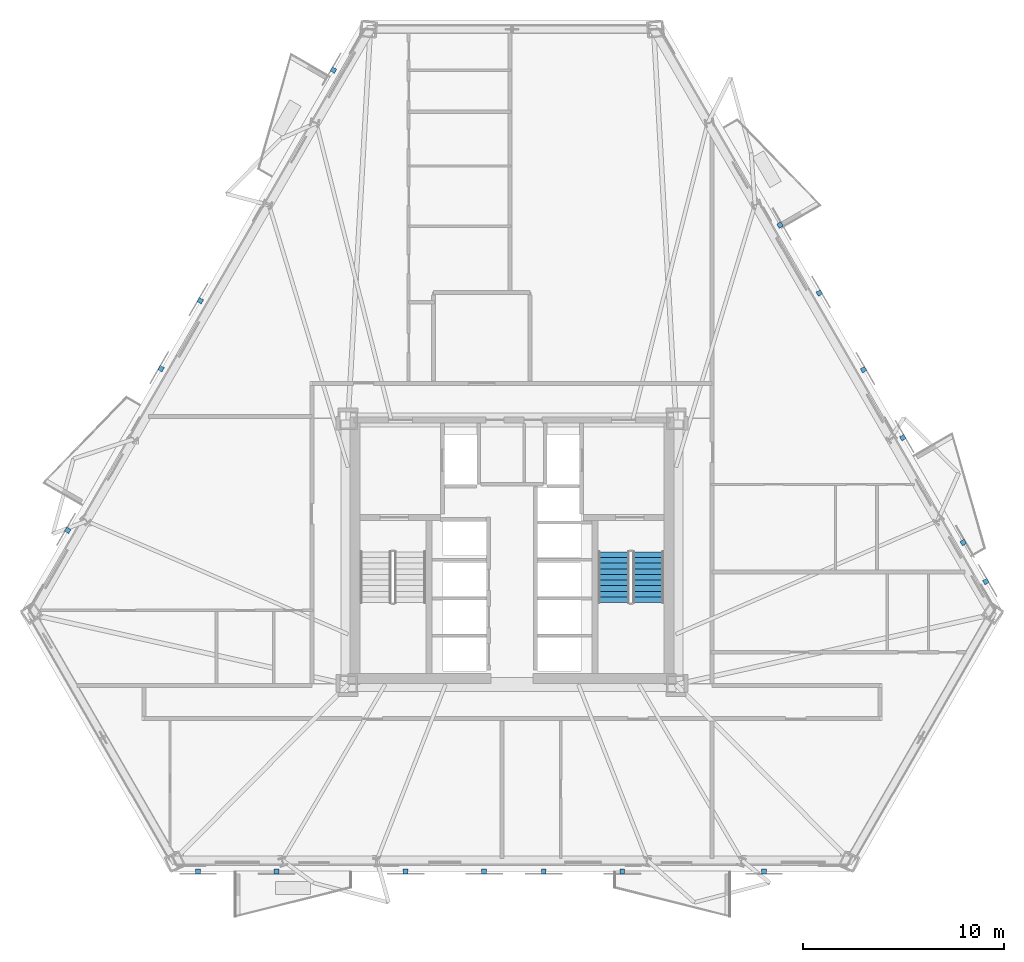
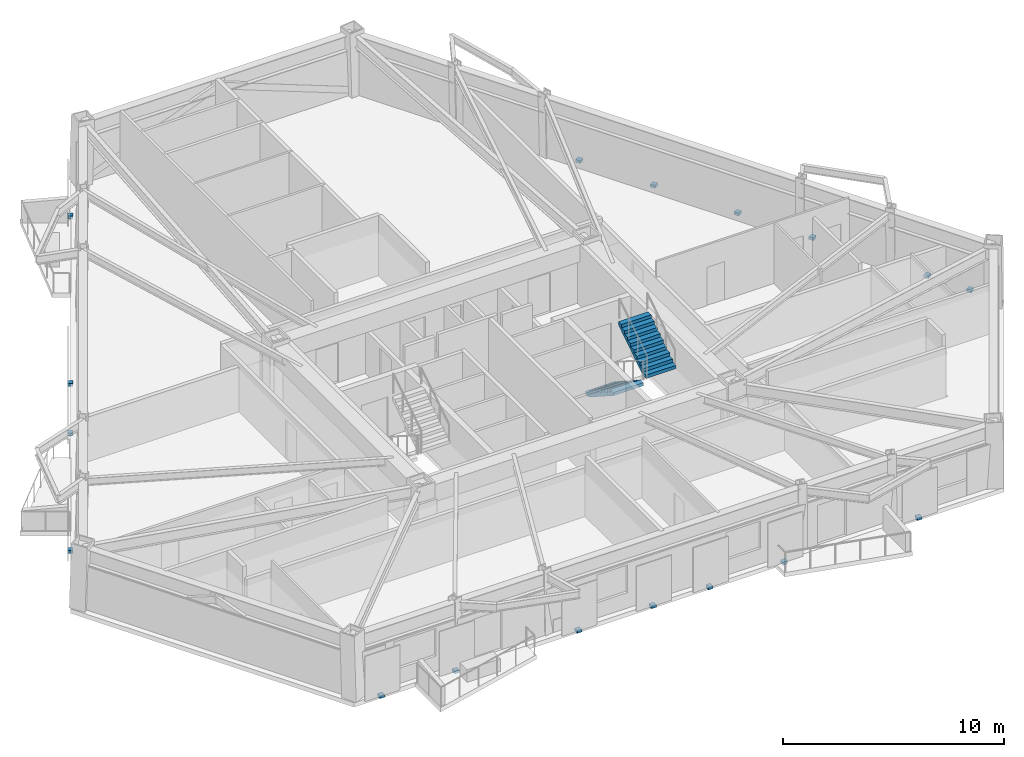
# One storey, part 6 of 10: 17 discrete accessories, 2 stair flights, 1 element without a shape of its own.
"""IFC4 building model written with IfcOpenShell, lengths in metres."""

import ifcopenshell
import ifcopenshell.guid

model = None  # the IFC model being written
_history = None  # IfcOwnerHistory: only IFC2X3 demands one
_inside = {}  # id of a spatial element -> (the spatial element, [elements in it])
_under = {}  # id of a project, library or spatial element -> (it, [spatial elements below it])
_declared = {}  # id of a project -> (the project, [libraries it declares])
_typed = {}  # id of a type object -> (the type object, [elements of that type])
_made_of = {}  # id of a material, layer set ... -> (it, [elements and type objects made of it])


def new_model(schema):
    """Start an empty IFC model of exactly this schema.

    Asked for "IFC4X3", IfcOpenShell would pick the latest addendum, in which some entities
    have other attributes; the version numbers below select the first issue.
    IFC2X3 requires an IfcOwnerHistory on every rooted entity: one is made here for all.
    """
    global model, _history
    if schema == "IFC4X3":
        model = ifcopenshell.file(schema_version=(4, 3, 0, 0))
    else:
        model = ifcopenshell.file(schema=schema)
    _inside.clear()
    _under.clear()
    _declared.clear()
    _typed.clear()
    _made_of.clear()
    _history = None
    if model.schema == "IFC2X3":
        org = make("IfcOrganization", Name="unknown")
        user = make(
            "IfcPersonAndOrganization",
            ThePerson=make("IfcPerson", FamilyName="unknown"),
            TheOrganization=org,
        )
        app = make(
            "IfcApplication",
            ApplicationDeveloper=org,
            Version="unknown",
            ApplicationFullName="unknown",
            ApplicationIdentifier="unknown",
        )
        _history = make(
            "IfcOwnerHistory",
            OwningUser=user,
            OwningApplication=app,
            ChangeAction="ADDED",
            CreationDate=0,
        )
    return model


def make(cls, **values):
    """One entity of the class cls with the attributes given. An attribute that is None is left unset."""
    return model.create_entity(
        cls, **{name: value for name, value in values.items() if value is not None}
    )


def rooted(cls, **values):
    """An entity with a GlobalId (a new one), such as an element, a storey or a relation."""
    return make(cls, GlobalId=ifcopenshell.guid.new(), OwnerHistory=_history, **values)


def si_unit(unit_type, name, prefix=None):
    """IfcSIUnit, for example si_unit("LENGTHUNIT", "METRE", prefix="MILLI")."""
    return make("IfcSIUnit", UnitType=unit_type, Prefix=prefix, Name=name)


def assignment(units):
    """IfcUnitAssignment: the units of a project."""
    return None if units is None else make("IfcUnitAssignment", Units=units)


def point(xyz):
    """IfcCartesianPoint."""
    return None if xyz is None else make("IfcCartesianPoint", Coordinates=xyz)


def direction(xyz):
    """IfcDirection."""
    return None if xyz is None else make("IfcDirection", DirectionRatios=xyz)


def frame(location, z_axis=None, x_axis=None):
    """IfcAxis2Placement3D, a coordinate frame: its origin and axes. An axis left out is left unset."""
    return make(
        "IfcAxis2Placement3D",
        Location=point(location),
        Axis=direction(z_axis),
        RefDirection=direction(x_axis),
    )


def frame_2d(location, x_axis=None):
    """IfcAxis2Placement2D, a coordinate frame in the plane: its origin and x axis."""
    return make(
        "IfcAxis2Placement2D", Location=point(location), RefDirection=direction(x_axis)
    )


def origin():
    """The frame at (0, 0, 0) with its axes left unset."""
    return frame((0.0, 0.0, 0.0))


def origin_2d():
    """The frame at (0, 0) in the plane with its x axis left unset."""
    return frame_2d((0.0, 0.0))


def place(relative_to, where):
    """IfcLocalPlacement: puts the frame where relative to a parent placement (None: the world)."""
    return make(
        "IfcLocalPlacement", PlacementRelTo=relative_to, RelativePlacement=where
    )


def context(
    kind, dimensions, precision=None, world=None, true_north=None, identifier=None
):
    """IfcGeometricRepresentationContext, for example the 3D "Model" context."""
    return make(
        "IfcGeometricRepresentationContext",
        ContextIdentifier=identifier,
        ContextType=kind,
        CoordinateSpaceDimension=dimensions,
        Precision=precision,
        WorldCoordinateSystem=world,
        TrueNorth=true_north,
    )


def subcontext(parent, identifier, kind, view, scale=None):
    """IfcGeometricRepresentationSubContext, for example "Body" below "Model"."""
    return make(
        "IfcGeometricRepresentationSubContext",
        ContextIdentifier=identifier,
        ContextType=kind,
        ParentContext=parent,
        TargetScale=scale,
        TargetView=view,
    )


def project(units=None, contexts=None):
    """IfcProject with its units and contexts."""
    return rooted(
        "IfcProject",
        Name="project",
        RepresentationContexts=contexts,
        UnitsInContext=assignment(units),
    )


def spatial(cls, under=None, at=None, **own):
    """A site, building, storey or space (cls), placed at a placement, below another one or the project."""
    s = rooted(cls, ObjectPlacement=at, **own)
    if under is not None:
        _under.setdefault(under.id(), (under, []))[1].append(s)
    return s


def polyline(points):
    """IfcPolyline through the points."""
    return make("IfcPolyline", Points=[point(p) for p in points])


def profile(cls, at=None, kind="AREA", **sizes):
    """A parametric profile (cls). Its sizes go by their IFC names, for example OverallWidth=200.0."""
    return make(cls, ProfileType=kind, Position=at, **sizes)


def rectangle(**sizes):
    """IfcRectangleProfileDef."""
    return profile("IfcRectangleProfileDef", **sizes)


def outline(outer, holes=None, kind="AREA"):
    """IfcArbitraryClosedProfileDef: a profile drawn as a closed curve; with holes, ...WithVoids."""
    if holes is None:
        return make("IfcArbitraryClosedProfileDef", ProfileType=kind, OuterCurve=outer)
    return make(
        "IfcArbitraryProfileDefWithVoids",
        ProfileType=kind,
        OuterCurve=outer,
        InnerCurves=holes,
    )


def extrude(swept, where, along, depth):
    """IfcExtrudedAreaSolid: the profile swept, set in the frame where, extruded along a direction by depth."""
    return make(
        "IfcExtrudedAreaSolid",
        SweptArea=swept,
        Position=where,
        ExtrudedDirection=direction(along),
        Depth=depth,
    )


def shape(context_of_items, identifier, shape_type, items):
    """IfcShapeRepresentation: the items that make up one representation, for example the "Body"."""
    return make(
        "IfcShapeRepresentation",
        ContextOfItems=context_of_items,
        RepresentationIdentifier=identifier,
        RepresentationType=shape_type,
        Items=items,
    )


def material(Name=None, Category=None):
    """IfcMaterial."""
    return make("IfcMaterial", Name=Name, Category=Category)


def made_of(thing, what):
    """Note that an element or type object is made of a material, layer set ...; save() writes the relation."""
    if what is not None:
        _made_of.setdefault(what.id(), (what, []))[1].append(thing)
    return thing


def type_object(cls, material=None, **own):
    """A type object (cls), such as IfcWallType, which elements share."""
    return made_of(rooted(cls, **own), material)


def element(
    cls,
    number,
    at=None,
    inside=None,
    cuts=None,
    type_object=None,
    material=None,
    context=None,
    identifier="Body",
    shape_type=None,
    held_by="IfcProductDefinitionShape",
    body=None,
    shapes=None,
    **own,
):
    """One element of the class cls, such as IfcWall. Its Tag is "e" and its number.

    at: its placement. inside: the storey or other place that contains it. cuts: it is an
    opening in that element (IfcRelVoidsElement). A single representation is given by context,
    identifier, shape_type and body (its items); several are given by shapes. held_by: the class
    of the entity that holds the representations. save() writes the other relations.
    """
    e = rooted(cls, Tag="e%d" % number, ObjectPlacement=at, **own)
    if body is not None:
        shapes = [shape(context, identifier, shape_type, body)]
    if shapes is not None:
        e.Representation = make(held_by, Representations=shapes)
    if inside is not None:
        _inside.setdefault(inside.id(), (inside, []))[1].append(e)
    if cuts is not None:
        rooted(
            "IfcRelVoidsElement", RelatingBuildingElement=cuts, RelatedOpeningElement=e
        )
    if type_object is not None:
        _typed.setdefault(type_object.id(), (type_object, []))[1].append(e)
    return made_of(e, material)


def aggregate(whole, parts):
    """IfcRelAggregates: a whole, such as a stair, and the parts it consists of."""
    return rooted("IfcRelAggregates", RelatingObject=whole, RelatedObjects=parts)


def save(model, path):
    """Write the relations noted so far, then the file.

    IfcRelAggregates (storeys below a building ...), IfcRelContainedInSpatialStructure (elements
    in a storey), IfcRelDefinesByType, IfcRelAssociatesMaterial and IfcRelDeclares: one each for
    every whole, place, type object, material and project.
    """
    for whole, parts in _under.values():
        aggregate(whole, parts)
    for where, things in _inside.values():
        rooted(
            "IfcRelContainedInSpatialStructure",
            RelatedElements=things,
            RelatingStructure=where,
        )
    for kind, things in _typed.values():
        rooted("IfcRelDefinesByType", RelatedObjects=things, RelatingType=kind)
    for what, things in _made_of.values():
        rooted("IfcRelAssociatesMaterial", RelatedObjects=things, RelatingMaterial=what)
    for by, libraries in _declared.values():
        rooted("IfcRelDeclares", RelatingContext=by, RelatedDefinitions=libraries)
    model.write(path)


model = new_model("IFC4")

# Units and contexts
model_context = context("Model", 3, precision=1e-05, world=origin(), true_north=direction((0.0, 1.0)))
body_context = subcontext(model_context, "Body", "Model", "MODEL_VIEW")
ifc_project = project(units=[si_unit("LENGTHUNIT", "METRE"), si_unit("AREAUNIT", "SQUARE_METRE"), si_unit("VOLUMEUNIT", "CUBIC_METRE"), si_unit("PLANEANGLEUNIT", "RADIAN"), si_unit("MASSUNIT", "GRAM", prefix="KILO")], contexts=[model_context])

# Site, building, storey
site_placement = place(None, origin())
site = spatial("IfcSite", under=ifc_project, at=site_placement, CompositionType="ELEMENT")
building_placement = place(site_placement, origin())
building = spatial("IfcBuilding", under=site, at=building_placement, Name="Oramaril Tower", CompositionType="ELEMENT")
storey_placement = place(building_placement, frame((0.0, 0.0, 56.10009765625)))
storey = spatial("IfcBuildingStorey", under=building, at=storey_placement, Name="L14", CompositionType="ELEMENT", Elevation=56.10009765625)

# Stair, stair flights
ifc_material_1 = material(Name="Concrete C50/60", Category="concrete")
stair_type = type_object("IfcStairType", Name="STT-DG-3600", PredefinedType="HALF_TURN_STAIR", material=ifc_material_1)
stair_placement = place(storey_placement, origin())
stair = element("IfcStair", 1, at=stair_placement, inside=storey, type_object=stair_type, Name="L14 Protected PFP Exit Stair ST-2", PredefinedType="HALF_TURN_STAIR")
ifc_material_2 = material(Name="Concrete C50/60", Category="concrete")
stair_flight_type = type_object("IfcStairFlightType", Name="SFT-DG-3600", PredefinedType="STRAIGHT", material=ifc_material_2)
stair_flight_1_placement = place(storey_placement, frame((42.56005859375, 17.590087890625, 0.0), z_axis=(0.0, 0.0, 1.0), x_axis=(0.0, -1.0, 0.0)))
stair_flight_1 = element("IfcStairFlight", 2, at=stair_flight_1_placement, type_object=stair_flight_type, Name="ST-2 flight 1", NumberOfRisers=10, NumberOfTreads=9, PredefinedType="STRAIGHT", RiserHeight=0.18, TreadLength=0.28, context=body_context, shape_type="SweptSolid", body=[
    extrude(outline(polyline([(0.0, 0.0), (0.0, 0.179931640625), (0.280029296875, 0.179931640625), (0.280029296875, 0.360107421875), (0.56005859375, 0.360107421875), (0.56005859375, 0.5400390625), (0.840087890625, 0.5400390625), (0.840087890625, 0.719970703125), (1.1201171875, 0.719970703125), (1.1201171875, 0.89990234375), (1.39990234375, 0.89990234375), (1.39990234375, 1.080078125), (1.679931640625, 1.080078125), (1.679931640625, 1.260009765625), (1.9599609375, 1.260009765625), (1.9599609375, 1.43994140625), (2.239990234375, 1.43994140625), (2.239990234375, 1.6201171875), (2.52001953125, 1.6201171875), (2.52001953125, 1.800048828125), (2.52001953125, 1.44189453125), (0.277099609375, 0.0), (0.0, 0.0)])), frame((0.0, 0.780029296875, 0.0), z_axis=(0.0, -1.0, 0.0), x_axis=(1.0, 0.0, 0.0)), (0.0, 0.0, 1.0), 1.56005859375),
])
stair_flight_2_placement = place(storey_placement, frame((44.27001953125, 15.070068359375, 1.7998046875), z_axis=(0.0, 0.0, 1.0), x_axis=(0.0, 1.0, 0.0)))
stair_flight_2 = element("IfcStairFlight", 3, at=stair_flight_2_placement, type_object=stair_flight_type, Name="ST-2 flight 2", NumberOfRisers=10, NumberOfTreads=9, PredefinedType="STRAIGHT", RiserHeight=0.18, TreadLength=0.28, context=body_context, shape_type="SweptSolid", body=[
    extrude(outline(polyline([(0.0, 0.0), (0.0, 0.179931640625), (0.280029296875, 0.179931640625), (0.280029296875, 0.360107421875), (0.56005859375, 0.360107421875), (0.56005859375, 0.5400390625), (0.840087890625, 0.5400390625), (0.840087890625, 0.719970703125), (1.1201171875, 0.719970703125), (1.1201171875, 0.89990234375), (1.39990234375, 0.89990234375), (1.39990234375, 1.080078125), (1.679931640625, 1.080078125), (1.679931640625, 1.260009765625), (1.9599609375, 1.260009765625), (1.9599609375, 1.43994140625), (2.239990234375, 1.43994140625), (2.239990234375, 1.6201171875), (2.52001953125, 1.6201171875), (2.52001953125, 1.800048828125), (2.52001953125, 1.44189453125), (0.277099609375, 0.0), (0.0, 0.0)])), frame((0.0, 0.780029296875, 0.0), z_axis=(0.0, -1.0, 0.0), x_axis=(1.0, 0.0, 0.0)), (0.0, 0.0, 1.0), 1.56005859375),
])
aggregate(stair, [stair_flight_1, stair_flight_2])

# Discrete accessories
for number, where, z_axis, x_axis, name in (
    (4, (21.896728515625, 1.6962890625, -0.14013671875), (0.0, 0.0, 1.0), (1.0, 0.0, 0.0), "L14 Solar Screen Slab Bracket"),
    (5, (25.796630859375, 1.6962890625, -0.14013671875), (0.0, 0.0, 1.0), (1.0, 0.0, 0.0), "L14 Solar Screen Slab Bracket"),
    (6, (32.21484375, 1.6962890625, -0.14013671875), (0.0, 0.0, 1.0), (1.0, 0.0, 0.0), "L14 Solar Screen Slab Bracket"),
    (7, (36.114990234375, 1.6962890625, -0.14013671875), (0.0, 0.0, 1.0), (1.0, 0.0, 0.0), "L14 Solar Screen Slab Bracket"),
    (8, (39.080810546875, 1.6962890625, -0.14013671875), (0.0, 0.0, 1.0), (1.0, 0.0, 0.0), "L14 Solar Screen Slab Bracket"),
    (9, (42.98095703125, 1.6962890625, -0.14013671875), (0.0, 0.0, 1.0), (1.0, 0.0, 0.0), "L14 Solar Screen Slab Bracket"),
    (10, (50.022216796875, 1.6962890625, -0.14013671875), (0.0, 0.0, 1.0), (1.0, 0.0, 0.0), "L14 Solar Screen Slab Bracket"),
    (11, (61.051513671875, 16.114990234375, -0.14013671875), (0.0, 0.0, 1.0), (-0.4999984885, 0.866026276448, 0.0), "L14 Solar Screen Slab Bracket"),
    (12, (56.922607421875, 23.2666015625, -0.14013671875), (0.0, 0.0, 1.0), (-0.4999984885, 0.866026276448, 0.0), "L14 Solar Screen Slab Bracket"),
    (13, (54.97265625, 26.64404296875, -0.14013671875), (0.0, 0.0, 1.0), (-0.4999984885, 0.866026276448, 0.0), "L14 Solar Screen Slab Bracket"),
    (14, (52.772216796875, 30.455078125, -0.14013671875), (0.0, 0.0, 1.0), (-0.4999984885, 0.866026276448, 0.0), "L14 Solar Screen Slab Bracket"),
    (15, (50.822265625, 33.83251953125, -0.14013671875), (0.0, 0.0, 1.0), (-0.4999984885, 0.866026276448, 0.0), "L14 Solar Screen Slab Bracket"),
    (16, (59.930908203125, 18.05615234375, -0.14013671875), (0.0, 0.0, 1.0), (-0.4999984885, 0.866026276448, 0.0), "L14 Solar Screen Slab Bracket"),
    (17, (15.41748046875, 18.6591796875, -0.14013671875), (0.0, 0.0, 1.0), (-0.4999984885, -0.866026276448, 0.0), "L14 Solar Screen Slab Bracket"),
    (18, (28.625, 41.535888671875, -0.14013671875), (0.0, 0.0, 1.0), (-0.4999984885, -0.866026276448, 0.0), "L14 Solar Screen Slab Bracket"),
    (19, (22.007080078125, 30.072998046875, -0.14013671875), (0.0, 0.0, 1.0), (-0.4999984885, -0.866026276448, 0.0), "L14 Solar Screen Slab Bracket"),
    (20, (20.05712890625, 26.695556640625, -0.14013671875), (0.0, 0.0, 1.0), (-0.4999984885, -0.866026276448, 0.0), "L14 Solar Screen Slab Bracket"),
):
    element("IfcDiscreteAccessory", number, at=place(storey_placement, frame(where, z_axis=z_axis, x_axis=x_axis)), inside=storey, Name=name, PredefinedType="BRACKET", context=body_context, shape_type="SweptSolid", body=[
        extrude(rectangle(XDim=0.239990234375, YDim=0.239990234375, at=origin_2d()), origin(), (0.0, 0.0, 1.0), 0.159912109375),
    ])

save(model, "model.ifc")
